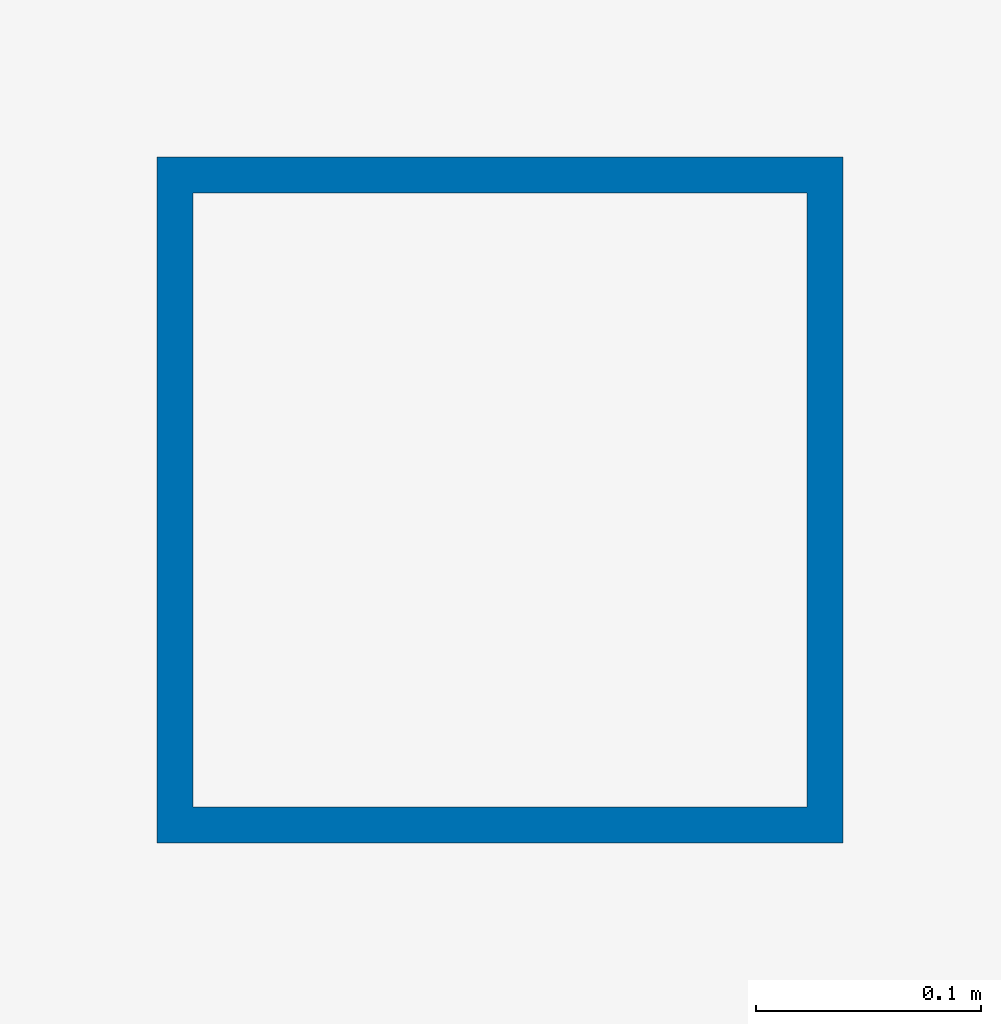
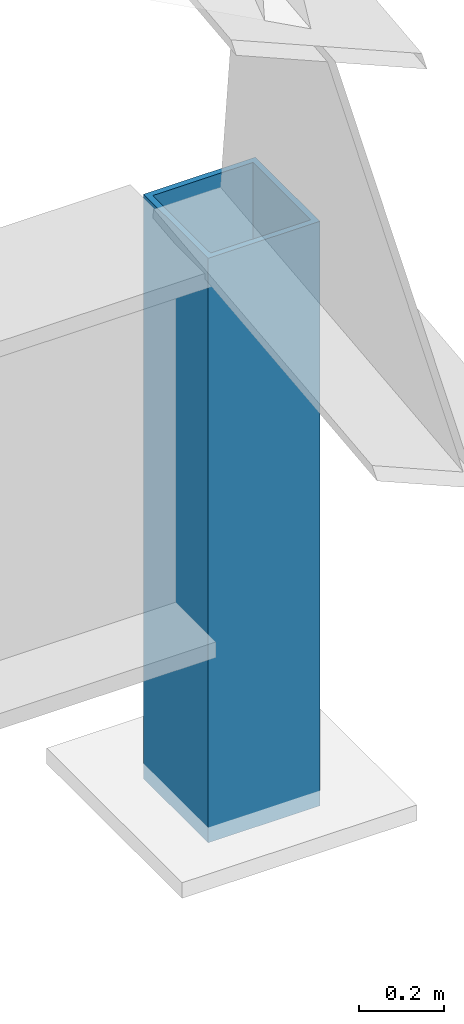
# One storey, part 2 of 52: 1 column.
"""IFC4 building model written with IfcOpenShell, lengths in metres."""

from ifc_helpers import new_model, si_unit, direction, frame, origin, origin_2d, place, context, subcontext, project, spatial, hollow_rectangle, extrude, material, material_profile, profile_set, type_object, element, save


model = new_model("IFC4")

# Units and contexts
model_context = context("Model", 3, precision=1e-05, world=origin(), true_north=direction((0.0, 1.0)))
body_context = subcontext(model_context, "Body", "Model", "MODEL_VIEW")
ifc_project = project(units=[si_unit("LENGTHUNIT", "METRE"), si_unit("AREAUNIT", "SQUARE_METRE"), si_unit("VOLUMEUNIT", "CUBIC_METRE"), si_unit("PLANEANGLEUNIT", "RADIAN"), si_unit("MASSUNIT", "GRAM", prefix="KILO")], contexts=[model_context])

# Site, building, storey
site_placement = place(None, origin())
site = spatial("IfcSite", under=ifc_project, at=site_placement, CompositionType="ELEMENT")
building_placement = place(site_placement, origin())
building = spatial("IfcBuilding", under=site, at=building_placement, Name="Vaelkrest Opera House", CompositionType="ELEMENT")
storey_placement = place(building_placement, frame((0.0, 0.0, 41.39990234375)))
storey = spatial("IfcBuildingStorey", under=building, at=storey_placement, Name="ROOF", CompositionType="ELEMENT", Elevation=41.39990234375)

# Column
ifc_material = material(Name="Steel A500 GrC", Category="steel")
ifc_material_profile = material_profile(ifc_material, hollow_rectangle(XDim=0.304931640625, YDim=0.304931640625, WallThickness=0.015869140625, at=origin_2d()), Name="HSS305X305X15.9")
ifc_profile_set = profile_set([ifc_material_profile], Name="Steel A500 GrC")
column_type = type_object("IfcColumnType", Name="C12", PredefinedType="COLUMN", material=ifc_profile_set)
column_placement = place(storey_placement, frame((30.0, 42.0, 0.0), z_axis=(0.0, 0.0, 1.0), x_axis=(1.0, 0.0, 0.0)))
element("IfcColumn", 1, at=column_placement, inside=storey, type_object=column_type, Name="Roof fold pier post V2-N-08", PredefinedType="COLUMN", context=body_context, shape_type="SweptSolid", body=[
    extrude(hollow_rectangle(XDim=0.304931640625, YDim=0.304931640625, WallThickness=0.015869140625, at=origin_2d()), origin(), (0.0, 0.0, 1.0), 1.68505859375),
])

save(model, "model.ifc")
